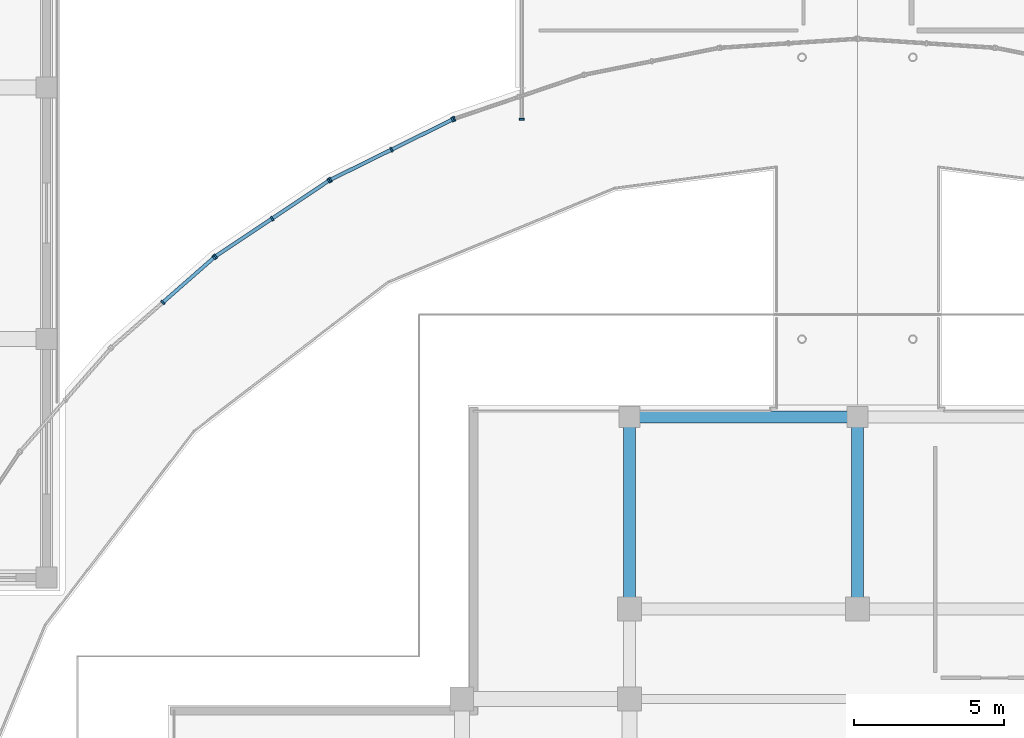
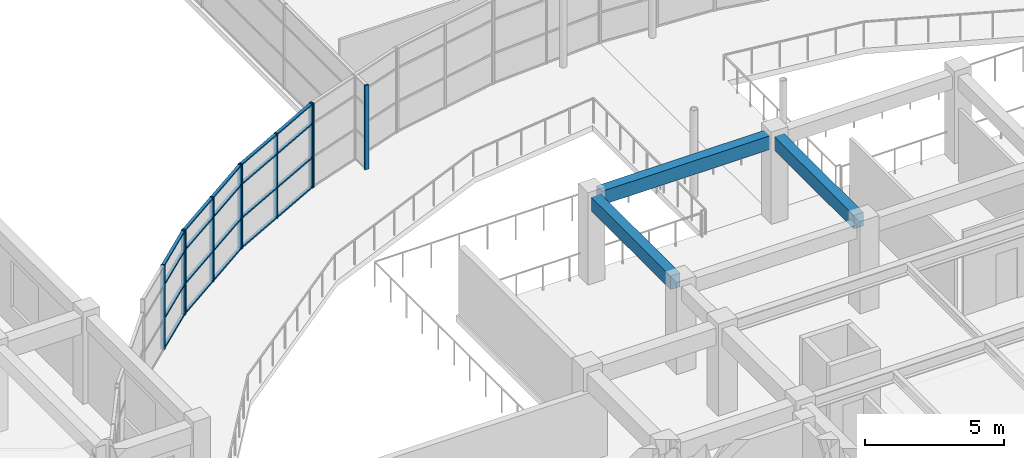
# One storey, part 28 of 83: 30 members, 3 beams, 5 elements without a shape of their own.
"""IFC4 building model written with IfcOpenShell, lengths in metres."""

from ifc_helpers import new_model, si_unit, direction, frame, origin, origin_2d, place, context, subcontext, project, spatial, rectangle, extrude, material, material_profile, profile_set, type_object, element, aggregate, save


model = new_model("IFC4")

# Units and contexts
model_context = context("Model", 3, precision=1e-05, world=origin(), true_north=direction((0.0, 1.0)))
body_context = subcontext(model_context, "Body", "Model", "MODEL_VIEW")
ifc_project = project(units=[si_unit("LENGTHUNIT", "METRE"), si_unit("AREAUNIT", "SQUARE_METRE"), si_unit("VOLUMEUNIT", "CUBIC_METRE"), si_unit("PLANEANGLEUNIT", "RADIAN"), si_unit("MASSUNIT", "GRAM", prefix="KILO")], contexts=[model_context])

# Site, building, storey
site_placement = place(None, origin())
site = spatial("IfcSite", under=ifc_project, at=site_placement, CompositionType="ELEMENT")
building_placement = place(site_placement, origin())
building = spatial("IfcBuilding", under=site, at=building_placement, Name="Saryqyr Civic Hall", CompositionType="ELEMENT")
storey_placement = place(building_placement, frame((0.0, 0.0, 9.14990234375)))
storey = spatial("IfcBuildingStorey", under=building, at=storey_placement, Name="L02", CompositionType="ELEMENT", Elevation=9.14990234375)

# Curtain wall, member
ifc_material_1 = material(Name="Anodised aluminium and triple low-E glass", Category="aluminium")
curtain_wall_type_1 = type_object("IfcCurtainWallType", Name="ENV-CW-STD-72", PredefinedType="NOTDEFINED", material=ifc_material_1)
curtain_wall_1_placement = place(storey_placement, origin())
curtain_wall_1 = element("IfcCurtainWall", 1, at=curtain_wall_1_placement, inside=storey, type_object=curtain_wall_type_1, Name="Curtain wall V2-VESTFLK-NW-L02", PredefinedType="NOTDEFINED")
ifc_material_2 = material(Name="Anodised aluminium", Category="aluminium")
ifc_material_profile_1 = material_profile(ifc_material_2, rectangle(XDim=0.06005859375, YDim=0.159912109375, at=origin_2d()), Name="ALU MULLION 60x160")
ifc_profile_set_1 = profile_set([ifc_material_profile_1], Name="Anodised aluminium")
member_type_1 = type_object("IfcMemberType", Name="ENV-CW-MUL-180", PredefinedType="MULLION", material=ifc_profile_set_1)
member_1_placement = place(storey_placement, frame((45.800048828125, 116.530029296875, 0.0), z_axis=(0.0, 0.0, 1.0), x_axis=(0.0, 1.0, 0.0)))
member_1 = element("IfcMember", 2, at=member_1_placement, type_object=member_type_1, Name="CW-72 mullion 1", PredefinedType="MULLION", context=body_context, shape_type="SweptSolid", body=[
    extrude(rectangle(XDim=0.06005859375, YDim=0.159912109375, at=origin_2d()), origin(), (0.0, 0.0, 1.0), 3.7001953125),
])
aggregate(curtain_wall_1, [member_1])

curtain_wall_type_2 = type_object("IfcCurtainWallType", Name="ENV-CW-STD-74", PredefinedType="NOTDEFINED", material=ifc_material_1)
curtain_wall_2_placement = place(storey_placement, origin())
curtain_wall_2 = element("IfcCurtainWall", 3, at=curtain_wall_2_placement, inside=storey, type_object=curtain_wall_type_2, Name="Curtain wall V2-PERIM-CW-L02-14", PredefinedType="NOTDEFINED")
member_2_placement = place(storey_placement, frame((43.55029296875, 116.548583984375, 0.0), z_axis=(0.0, 0.0, 1.0), x_axis=(0.946928094828, 0.321445459178, 0.0)))
member_2 = element("IfcMember", 4, at=member_2_placement, type_object=member_type_1, Name="CW-74 mullion 1", PredefinedType="MULLION", context=body_context, shape_type="SweptSolid", body=[
    extrude(rectangle(XDim=0.06005859375, YDim=0.159912109375, at=origin_2d()), origin(), (0.0, 0.0, 1.0), 3.7001953125),
])
aggregate(curtain_wall_2, [member_2])

# Curtain wall, members
curtain_wall_3_placement = place(storey_placement, origin())
curtain_wall_3 = element("IfcCurtainWall", 5, at=curtain_wall_3_placement, inside=storey, type_object=curtain_wall_type_2, Name="Curtain wall V2-PERIM-CW-L02-15", PredefinedType="NOTDEFINED")
member_3_placement = place(storey_placement, frame((39.4169921875, 114.5146484375, 0.0), z_axis=(0.0, 0.0, 1.0), x_axis=(0.896875116746, 0.442283873729, 0.0)))
member_3 = element("IfcMember", 6, at=member_3_placement, type_object=member_type_1, Name="CW-74 mullion 1", PredefinedType="MULLION", context=body_context, shape_type="SweptSolid", body=[
    extrude(rectangle(XDim=0.06005859375, YDim=0.159912109375, at=origin_2d()), origin(), (0.0, 0.0, 1.0), 3.7001953125),
])
member_4_placement = place(storey_placement, frame((41.4560546875, 115.520263671875, 0.0), z_axis=(0.0, 0.0, 1.0), x_axis=(0.896875116746, 0.442283873729, 0.0)))
member_4 = element("IfcMember", 7, at=member_4_placement, type_object=member_type_1, Name="CW-74 mullion 2", PredefinedType="MULLION", context=body_context, shape_type="SweptSolid", body=[
    extrude(rectangle(XDim=0.06005859375, YDim=0.159912109375, at=origin_2d()), origin(), (0.0, 0.0, 1.0), 3.7001953125),
])
member_5_placement = place(storey_placement, frame((43.494873046875, 116.525634765625, 0.0), z_axis=(0.0, 0.0, 1.0), x_axis=(0.896875116746, 0.442283873729, 0.0)))
member_5 = element("IfcMember", 8, at=member_5_placement, type_object=member_type_1, Name="CW-74 mullion 3", PredefinedType="MULLION", context=body_context, shape_type="SweptSolid", body=[
    extrude(rectangle(XDim=0.06005859375, YDim=0.159912109375, at=origin_2d()), origin(), (0.0, 0.0, 1.0), 3.7001953125),
])

curtain_wall_4_placement = place(storey_placement, origin())
curtain_wall_4 = element("IfcCurtainWall", 9, at=curtain_wall_4_placement, inside=storey, type_object=curtain_wall_type_2, Name="Curtain wall V2-PERIM-CW-L02-16", PredefinedType="NOTDEFINED")
member_6_placement = place(storey_placement, frame((35.584228515625, 111.95849609375, 0.0), z_axis=(0.0, 0.0, 1.0), x_axis=(0.831472128078, 0.555566467877, 0.0)))
member_6 = element("IfcMember", 10, at=member_6_placement, type_object=member_type_1, Name="CW-74 mullion 1", PredefinedType="MULLION", context=body_context, shape_type="SweptSolid", body=[
    extrude(rectangle(XDim=0.06005859375, YDim=0.159912109375, at=origin_2d()), origin(), (0.0, 0.0, 1.0), 3.7001953125),
])
member_7_placement = place(storey_placement, frame((37.474609375, 113.2216796875, 0.0), z_axis=(0.0, 0.0, 1.0), x_axis=(0.831472128078, 0.555566467877, 0.0)))
member_7 = element("IfcMember", 11, at=member_7_placement, type_object=member_type_1, Name="CW-74 mullion 2", PredefinedType="MULLION", context=body_context, shape_type="SweptSolid", body=[
    extrude(rectangle(XDim=0.06005859375, YDim=0.159912109375, at=origin_2d()), origin(), (0.0, 0.0, 1.0), 3.7001953125),
])
member_8_placement = place(storey_placement, frame((39.364990234375, 114.484619140625, 0.0), z_axis=(0.0, 0.0, 1.0), x_axis=(0.831472128078, 0.555566467877, 0.0)))
member_8 = element("IfcMember", 12, at=member_8_placement, type_object=member_type_1, Name="CW-74 mullion 3", PredefinedType="MULLION", context=body_context, shape_type="SweptSolid", body=[
    extrude(rectangle(XDim=0.06005859375, YDim=0.159912109375, at=origin_2d()), origin(), (0.0, 0.0, 1.0), 3.7001953125),
])

curtain_wall_5_placement = place(storey_placement, origin())
curtain_wall_5 = element("IfcCurtainWall", 13, at=curtain_wall_5_placement, inside=storey, type_object=curtain_wall_type_2, Name="Curtain wall V2-PERIM-CW-L02-17", PredefinedType="NOTDEFINED")
member_9_placement = place(storey_placement, frame((33.82763671875, 110.423095703125, 0.0), z_axis=(0.0, 0.0, 1.0), x_axis=(0.751838018573, 0.659347854951, 0.0)))
member_9 = element("IfcMember", 14, at=member_9_placement, type_object=member_type_1, Name="CW-74 mullion 2", PredefinedType="MULLION", context=body_context, shape_type="SweptSolid", body=[
    extrude(rectangle(XDim=0.06005859375, YDim=0.159912109375, at=origin_2d()), origin(), (0.0, 0.0, 1.0), 3.7001953125),
])
member_10_placement = place(storey_placement, frame((35.536865234375, 111.922119140625, 0.0), z_axis=(0.0, 0.0, 1.0), x_axis=(0.751838018573, 0.659347854951, 0.0)))
member_10 = element("IfcMember", 15, at=member_10_placement, type_object=member_type_1, Name="CW-74 mullion 3", PredefinedType="MULLION", context=body_context, shape_type="SweptSolid", body=[
    extrude(rectangle(XDim=0.06005859375, YDim=0.159912109375, at=origin_2d()), origin(), (0.0, 0.0, 1.0), 3.7001953125),
])

# Member
ifc_material_profile_2 = material_profile(ifc_material_2, rectangle(XDim=0.1201171875, YDim=0.06005859375, at=origin_2d()), Name="ALU TRANSOM 120x60")
ifc_profile_set_2 = profile_set([ifc_material_profile_2], Name="Anodised aluminium")
member_type_2 = type_object("IfcMemberType", Name="ENV-CW-TRN-150", PredefinedType="USERDEFINED", material=ifc_profile_set_2)
member_11_placement = place(storey_placement, frame((39.44384765625, 114.52783203125, 0.030029296875), z_axis=(0.896862479168, 0.442309499627, 0.0), x_axis=(-0.442309499627, 0.896862479168, 0.0)))
member_11 = element("IfcMember", 16, at=member_11_placement, type_object=member_type_2, Name="CW-74 transom 1.1", ObjectType="TRANSOM", PredefinedType="USERDEFINED", context=body_context, shape_type="SweptSolid", body=[
    extrude(rectangle(XDim=0.1201171875, YDim=0.06005859375, at=origin_2d()), origin(), (0.0, 0.0, 1.0), 2.21337890625),
])

member_12_placement = place(storey_placement, frame((39.44384765625, 114.52783203125, 1.33203125), z_axis=(0.896862479168, 0.442309499627, 0.0), x_axis=(-0.442309499627, 0.896862479168, 0.0)))
member_12 = element("IfcMember", 17, at=member_12_placement, type_object=member_type_2, Name="CW-74 transom 1.2", ObjectType="TRANSOM", PredefinedType="USERDEFINED", context=body_context, shape_type="SweptSolid", body=[
    extrude(rectangle(XDim=0.1201171875, YDim=0.06005859375, at=origin_2d()), origin(), (0.0, 0.0, 1.0), 2.21337890625),
])

member_13_placement = place(storey_placement, frame((39.44384765625, 114.52783203125, 2.81201171875), z_axis=(0.896862479168, 0.442309499627, 0.0), x_axis=(-0.442309499627, 0.896862479168, 0.0)))
member_13 = element("IfcMember", 18, at=member_13_placement, type_object=member_type_2, Name="CW-74 transom 1.3", ObjectType="TRANSOM", PredefinedType="USERDEFINED", context=body_context, shape_type="SweptSolid", body=[
    extrude(rectangle(XDim=0.1201171875, YDim=0.06005859375, at=origin_2d()), origin(), (0.0, 0.0, 1.0), 2.21337890625),
])

member_14_placement = place(storey_placement, frame((39.44384765625, 114.52783203125, 3.670166015625), z_axis=(0.896862479168, 0.442309499627, 0.0), x_axis=(-0.442309499627, 0.896862479168, 0.0)))
member_14 = element("IfcMember", 19, at=member_14_placement, type_object=member_type_2, Name="CW-74 transom 1.4", ObjectType="TRANSOM", PredefinedType="USERDEFINED", context=body_context, shape_type="SweptSolid", body=[
    extrude(rectangle(XDim=0.1201171875, YDim=0.06005859375, at=origin_2d()), origin(), (0.0, 0.0, 1.0), 2.21337890625),
])

member_15_placement = place(storey_placement, frame((41.48291015625, 115.533447265625, 0.030029296875), z_axis=(0.896862479168, 0.442309499627, 0.0), x_axis=(-0.442309499627, 0.896862479168, 0.0)))
member_15 = element("IfcMember", 20, at=member_15_placement, type_object=member_type_2, Name="CW-74 transom 2.1", ObjectType="TRANSOM", PredefinedType="USERDEFINED", context=body_context, shape_type="SweptSolid", body=[
    extrude(rectangle(XDim=0.1201171875, YDim=0.06005859375, at=origin_2d()), origin(), (0.0, 0.0, 1.0), 2.21337890625),
])

member_16_placement = place(storey_placement, frame((41.48291015625, 115.533447265625, 1.33203125), z_axis=(0.896862479168, 0.442309499627, 0.0), x_axis=(-0.442309499627, 0.896862479168, 0.0)))
member_16 = element("IfcMember", 21, at=member_16_placement, type_object=member_type_2, Name="CW-74 transom 2.2", ObjectType="TRANSOM", PredefinedType="USERDEFINED", context=body_context, shape_type="SweptSolid", body=[
    extrude(rectangle(XDim=0.1201171875, YDim=0.06005859375, at=origin_2d()), origin(), (0.0, 0.0, 1.0), 2.21337890625),
])

member_17_placement = place(storey_placement, frame((41.48291015625, 115.533447265625, 2.81201171875), z_axis=(0.896862479168, 0.442309499627, 0.0), x_axis=(-0.442309499627, 0.896862479168, 0.0)))
member_17 = element("IfcMember", 22, at=member_17_placement, type_object=member_type_2, Name="CW-74 transom 2.3", ObjectType="TRANSOM", PredefinedType="USERDEFINED", context=body_context, shape_type="SweptSolid", body=[
    extrude(rectangle(XDim=0.1201171875, YDim=0.06005859375, at=origin_2d()), origin(), (0.0, 0.0, 1.0), 2.21337890625),
])

member_18_placement = place(storey_placement, frame((41.48291015625, 115.533447265625, 3.670166015625), z_axis=(0.896862479168, 0.442309499627, 0.0), x_axis=(-0.442309499627, 0.896862479168, 0.0)))
member_18 = element("IfcMember", 23, at=member_18_placement, type_object=member_type_2, Name="CW-74 transom 2.4", ObjectType="TRANSOM", PredefinedType="USERDEFINED", context=body_context, shape_type="SweptSolid", body=[
    extrude(rectangle(XDim=0.1201171875, YDim=0.06005859375, at=origin_2d()), origin(), (0.0, 0.0, 1.0), 2.21337890625),
])

aggregate(curtain_wall_3, [member_3, member_4, member_5, member_11, member_12, member_13, member_14, member_15, member_16, member_17, member_18])

member_19_placement = place(storey_placement, frame((35.609375, 111.975341796875, 0.030029296875), z_axis=(0.831455883958, 0.555590778389, 0.0), x_axis=(-0.555590778389, 0.831455883958, 0.0)))
member_19 = element("IfcMember", 24, at=member_19_placement, type_object=member_type_2, Name="CW-74 transom 1.1", ObjectType="TRANSOM", PredefinedType="USERDEFINED", context=body_context, shape_type="SweptSolid", body=[
    extrude(rectangle(XDim=0.1201171875, YDim=0.06005859375, at=origin_2d()), origin(), (0.0, 0.0, 1.0), 2.21337890625),
])

member_20_placement = place(storey_placement, frame((35.609375, 111.975341796875, 1.33203125), z_axis=(0.831455883958, 0.555590778389, 0.0), x_axis=(-0.555590778389, 0.831455883958, 0.0)))
member_20 = element("IfcMember", 25, at=member_20_placement, type_object=member_type_2, Name="CW-74 transom 1.2", ObjectType="TRANSOM", PredefinedType="USERDEFINED", context=body_context, shape_type="SweptSolid", body=[
    extrude(rectangle(XDim=0.1201171875, YDim=0.06005859375, at=origin_2d()), origin(), (0.0, 0.0, 1.0), 2.21337890625),
])

member_21_placement = place(storey_placement, frame((35.609375, 111.975341796875, 2.81201171875), z_axis=(0.831455883958, 0.555590778389, 0.0), x_axis=(-0.555590778389, 0.831455883958, 0.0)))
member_21 = element("IfcMember", 26, at=member_21_placement, type_object=member_type_2, Name="CW-74 transom 1.3", ObjectType="TRANSOM", PredefinedType="USERDEFINED", context=body_context, shape_type="SweptSolid", body=[
    extrude(rectangle(XDim=0.1201171875, YDim=0.06005859375, at=origin_2d()), origin(), (0.0, 0.0, 1.0), 2.21337890625),
])

member_22_placement = place(storey_placement, frame((35.609375, 111.975341796875, 3.670166015625), z_axis=(0.831455883958, 0.555590778389, 0.0), x_axis=(-0.555590778389, 0.831455883958, 0.0)))
member_22 = element("IfcMember", 27, at=member_22_placement, type_object=member_type_2, Name="CW-74 transom 1.4", ObjectType="TRANSOM", PredefinedType="USERDEFINED", context=body_context, shape_type="SweptSolid", body=[
    extrude(rectangle(XDim=0.1201171875, YDim=0.06005859375, at=origin_2d()), origin(), (0.0, 0.0, 1.0), 2.21337890625),
])

member_23_placement = place(storey_placement, frame((37.499755859375, 113.23828125, 0.030029296875), z_axis=(0.831455883958, 0.555590778389, 0.0), x_axis=(-0.555590778389, 0.831455883958, 0.0)))
member_23 = element("IfcMember", 28, at=member_23_placement, type_object=member_type_2, Name="CW-74 transom 2.1", ObjectType="TRANSOM", PredefinedType="USERDEFINED", context=body_context, shape_type="SweptSolid", body=[
    extrude(rectangle(XDim=0.1201171875, YDim=0.06005859375, at=origin_2d()), origin(), (0.0, 0.0, 1.0), 2.21337890625),
])

member_24_placement = place(storey_placement, frame((37.499755859375, 113.23828125, 1.33203125), z_axis=(0.831455883958, 0.555590778389, 0.0), x_axis=(-0.555590778389, 0.831455883958, 0.0)))
member_24 = element("IfcMember", 29, at=member_24_placement, type_object=member_type_2, Name="CW-74 transom 2.2", ObjectType="TRANSOM", PredefinedType="USERDEFINED", context=body_context, shape_type="SweptSolid", body=[
    extrude(rectangle(XDim=0.1201171875, YDim=0.06005859375, at=origin_2d()), origin(), (0.0, 0.0, 1.0), 2.21337890625),
])

member_25_placement = place(storey_placement, frame((37.499755859375, 113.23828125, 2.81201171875), z_axis=(0.831455883958, 0.555590778389, 0.0), x_axis=(-0.555590778389, 0.831455883958, 0.0)))
member_25 = element("IfcMember", 30, at=member_25_placement, type_object=member_type_2, Name="CW-74 transom 2.3", ObjectType="TRANSOM", PredefinedType="USERDEFINED", context=body_context, shape_type="SweptSolid", body=[
    extrude(rectangle(XDim=0.1201171875, YDim=0.06005859375, at=origin_2d()), origin(), (0.0, 0.0, 1.0), 2.21337890625),
])

member_26_placement = place(storey_placement, frame((37.499755859375, 113.23828125, 3.670166015625), z_axis=(0.831455883958, 0.555590778389, 0.0), x_axis=(-0.555590778389, 0.831455883958, 0.0)))
member_26 = element("IfcMember", 31, at=member_26_placement, type_object=member_type_2, Name="CW-74 transom 2.4", ObjectType="TRANSOM", PredefinedType="USERDEFINED", context=body_context, shape_type="SweptSolid", body=[
    extrude(rectangle(XDim=0.1201171875, YDim=0.06005859375, at=origin_2d()), origin(), (0.0, 0.0, 1.0), 2.21337890625),
])

aggregate(curtain_wall_4, [member_6, member_7, member_8, member_19, member_20, member_21, member_22, member_23, member_24, member_25, member_26])

member_27_placement = place(storey_placement, frame((33.85009765625, 110.44287109375, 0.030029296875), z_axis=(0.751858863723, 0.659324084984, 0.0), x_axis=(-0.659324084984, 0.751858863723, 0.0)))
member_27 = element("IfcMember", 32, at=member_27_placement, type_object=member_type_2, Name="CW-74 transom 2.1", ObjectType="TRANSOM", PredefinedType="USERDEFINED", context=body_context, shape_type="SweptSolid", body=[
    extrude(rectangle(XDim=0.1201171875, YDim=0.06005859375, at=origin_2d()), origin(), (0.0, 0.0, 1.0), 2.213623046875),
])

member_28_placement = place(storey_placement, frame((33.85009765625, 110.44287109375, 1.33203125), z_axis=(0.751858863723, 0.659324084984, 0.0), x_axis=(-0.659324084984, 0.751858863723, 0.0)))
member_28 = element("IfcMember", 33, at=member_28_placement, type_object=member_type_2, Name="CW-74 transom 2.2", ObjectType="TRANSOM", PredefinedType="USERDEFINED", context=body_context, shape_type="SweptSolid", body=[
    extrude(rectangle(XDim=0.1201171875, YDim=0.06005859375, at=origin_2d()), origin(), (0.0, 0.0, 1.0), 2.213623046875),
])

member_29_placement = place(storey_placement, frame((33.85009765625, 110.44287109375, 2.81201171875), z_axis=(0.751858863723, 0.659324084984, 0.0), x_axis=(-0.659324084984, 0.751858863723, 0.0)))
member_29 = element("IfcMember", 34, at=member_29_placement, type_object=member_type_2, Name="CW-74 transom 2.3", ObjectType="TRANSOM", PredefinedType="USERDEFINED", context=body_context, shape_type="SweptSolid", body=[
    extrude(rectangle(XDim=0.1201171875, YDim=0.06005859375, at=origin_2d()), origin(), (0.0, 0.0, 1.0), 2.213623046875),
])

member_30_placement = place(storey_placement, frame((33.85009765625, 110.44287109375, 3.670166015625), z_axis=(0.751858863723, 0.659324084984, 0.0), x_axis=(-0.659324084984, 0.751858863723, 0.0)))
member_30 = element("IfcMember", 35, at=member_30_placement, type_object=member_type_2, Name="CW-74 transom 2.4", ObjectType="TRANSOM", PredefinedType="USERDEFINED", context=body_context, shape_type="SweptSolid", body=[
    extrude(rectangle(XDim=0.1201171875, YDim=0.06005859375, at=origin_2d()), origin(), (0.0, 0.0, 1.0), 2.213623046875),
])

aggregate(curtain_wall_5, [member_9, member_10, member_27, member_28, member_29, member_30])

# Beams
ifc_material_3 = material(Name="Concrete C35/45", Category="concrete")
ifc_material_profile_3 = material_profile(ifc_material_3, rectangle(XDim=0.39990234375, YDim=0.60009765625, at=origin_2d()), Name="RC 400x600")
ifc_profile_set_3 = profile_set([ifc_material_profile_3], Name="Concrete C35/45")
beam_type = type_object("IfcBeamType", Name="STR-BM-RC400x600", PredefinedType="BEAM", material=ifc_profile_set_3)
for number, where, z_axis, x_axis, name in (
    (36, (49.39990234375, 100.574951171875, 3.489990234375), (0.0, 1.0, 0.0), (-1.0, 0.0, 0.0), "Beam V1-TBM-10-L02"),
    (37, (57.0, 100.574951171875, 3.489990234375), (0.0, 1.0, 0.0), (-1.0, 0.0, 0.0), "Beam V1-TBM-11-L02"),
):
    element("IfcBeam", number, at=place(storey_placement, frame(where, z_axis=z_axis, x_axis=x_axis)), inside=storey, type_object=beam_type, Name=name, PredefinedType="BEAM", context=body_context, shape_type="SweptSolid", body=[
        extrude(rectangle(XDim=0.39990234375, YDim=0.60009765625, at=origin_2d()), origin(), (0.0, 0.0, 1.0), 5.699951171875),
    ])
beam_placement = place(storey_placement, frame((49.72509765625, 106.60009765625, 3.489990234375), z_axis=(1.0, 0.0, 0.0), x_axis=(0.0, 1.0, 0.0)))
element("IfcBeam", 38, at=beam_placement, inside=storey, type_object=beam_type, Name="Beam V1-TBM-19-L02", PredefinedType="BEAM", context=body_context, shape_type="SweptSolid", body=[
    extrude(rectangle(XDim=0.39990234375, YDim=0.60009765625, at=origin_2d()), origin(), (0.0, 0.0, 1.0), 6.949951171875),
])

save(model, "model.ifc")
